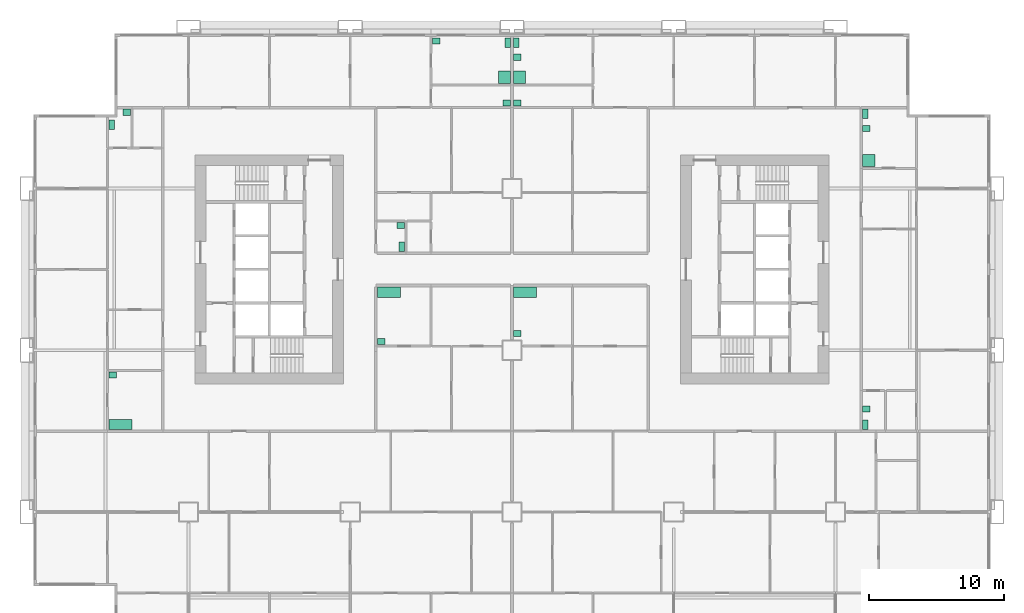
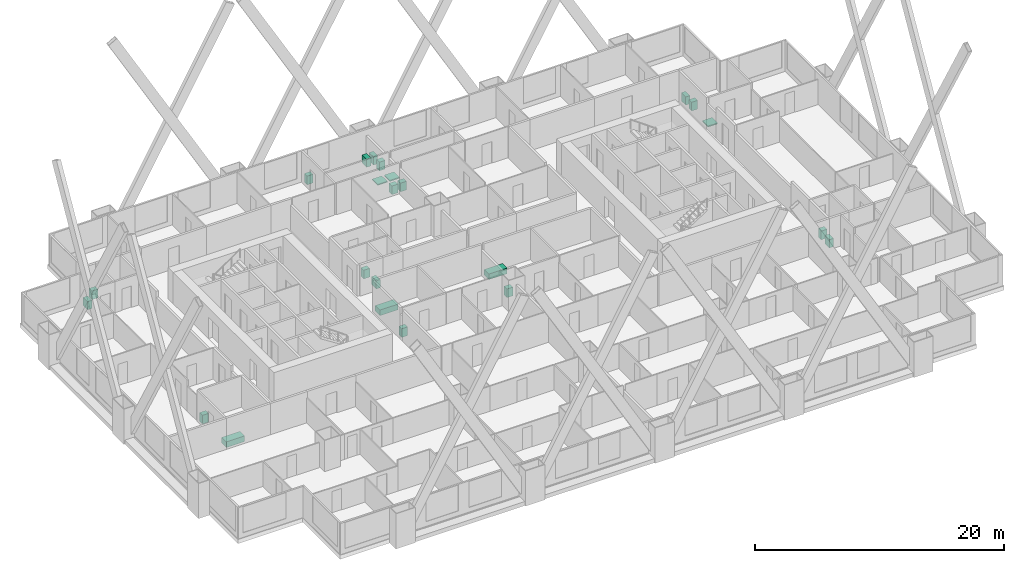
# One storey, part 13 of 13: 23 sanitary terminals.
"""IFC4 building model written with IfcOpenShell, lengths in metres."""

from ifc_helpers import new_model, si_unit, direction, frame, origin, origin_2d, place, context, subcontext, project, spatial, rectangle, extrude, material, type_object, element, save


model = new_model("IFC4")

# Units and contexts
model_context = context("Model", 3, precision=1e-05, world=origin(), true_north=direction((0.0, 1.0)))
body_context = subcontext(model_context, "Body", "Model", "MODEL_VIEW")
ifc_project = project(units=[si_unit("LENGTHUNIT", "METRE"), si_unit("AREAUNIT", "SQUARE_METRE"), si_unit("VOLUMEUNIT", "CUBIC_METRE"), si_unit("PLANEANGLEUNIT", "RADIAN"), si_unit("MASSUNIT", "GRAM", prefix="KILO")], contexts=[model_context])

# Site, building, storey
site_placement = place(None, origin())
site = spatial("IfcSite", under=ifc_project, at=site_placement, CompositionType="ELEMENT")
building_placement = place(site_placement, origin())
building = spatial("IfcBuilding", under=site, at=building_placement, Name="Kitamizu Gate Tower and Museum", CompositionType="ELEMENT")
storey_placement = place(building_placement, frame((0.0, 0.0, 30.0)))
storey = spatial("IfcBuildingStorey", under=building, at=storey_placement, Name="L05", CompositionType="ELEMENT", Elevation=30.0)

# Sanitary terminals
ifc_material_1 = material(Name="Acrylic")
sanitary_terminal_type_1 = type_object("IfcSanitaryTerminalType", Name="Bath", PredefinedType="BATH", material=ifc_material_1)
for number, where, z_axis, x_axis, name in (
    (1, (26.8701171875, 28.304931640625, 0.0009765625), (0.0, 0.0, 1.0), (1.0, 0.0, 0.0), "Bath Bathroom and WC 05A"),
    (2, (6.969970703125, 18.4951171875, 0.0009765625), (0.0, 0.0, 1.0), (1.0, 0.0, 0.0), "Bath Bathroom 05B"),
    (3, (36.969970703125, 28.304931640625, 0.0009765625), (0.0, 0.0, 1.0), (1.0, 0.0, 0.0), "Bath Bathroom and WC 05C"),
):
    element("IfcSanitaryTerminal", number, at=place(storey_placement, frame(where, z_axis=z_axis, x_axis=x_axis)), inside=storey, type_object=sanitary_terminal_type_1, Name=name, PredefinedType="BATH", context=body_context, shape_type="SweptSolid", body=[
        extrude(rectangle(XDim=1.699951171875, YDim=0.75, at=origin_2d()), origin(), (0.0, 0.0, 1.0), 0.550048828125),
    ])
ifc_material_2 = material(Name="Acrylic")
sanitary_terminal_type_2 = type_object("IfcSanitaryTerminalType", Name="Shower tray", PredefinedType="SHOWER", material=ifc_material_2)
for number, where, z_axis, x_axis, name in (
    (4, (62.469970703125, 38.070068359375, 0.0009765625), (0.0, 0.0, 1.0), (1.0, 0.0, 0.0), "Shower tray En-suite bathroom 05D"),
    (5, (35.429931640625, 44.25, 0.0009765625), (0.0, 0.0, 1.0), (1.0, 0.0, 0.0), "Shower tray En-suite bathroom 05E"),
    (6, (36.570068359375, 44.25, 0.0009765625), (0.0, 0.0, 1.0), (1.0, 0.0, 0.0), "Shower tray En-suite bathroom and WC 05F"),
):
    element("IfcSanitaryTerminal", number, at=place(storey_placement, frame(where, z_axis=z_axis, x_axis=x_axis)), inside=storey, type_object=sanitary_terminal_type_2, Name=name, PredefinedType="SHOWER", context=body_context, shape_type="SweptSolid", body=[
        extrude(rectangle(XDim=0.89990234375, YDim=0.89990234375, at=origin_2d()), origin(), (0.0, 0.0, 1.0), 0.10009765625),
    ])
ifc_material_3 = material(Name="Vitreous china")
sanitary_terminal_type_3 = type_object("IfcSanitaryTerminalType", Name="Wash hand basin", PredefinedType="WASHHANDBASIN", material=ifc_material_3)
for number, where, z_axis, x_axis, name in (
    (7, (26.294921875, 24.64501953125, 0.0009765625), (0.0, 0.0, 1.0), (1.0, 0.0, 0.0), "Wash hand basin Bathroom and WC 05A"),
    (8, (6.39501953125, 22.155029296875, 0.0009765625), (0.0, 0.0, 1.0), (1.0, 0.0, 0.0), "Wash hand basin Bathroom 05B"),
    (9, (7.405029296875, 41.655029296875, 0.0009765625), (0.0, 0.0, 1.0), (1.0, 0.0, 0.0), "Wash hand basin WC 05B"),
    (10, (36.39501953125, 25.2451171875, 0.0009765625), (0.0, 0.0, 1.0), (1.0, 0.0, 0.0), "Wash hand basin Bathroom and WC 05C"),
    (11, (62.294921875, 19.655029296875, 0.0009765625), (0.0, 0.0, 1.0), (1.0, 0.0, 0.0), "Wash hand basin WC 05D"),
    (12, (62.294921875, 40.455078125, 0.0009765625), (0.0, 0.0, 1.0), (1.0, 0.0, 0.0), "Wash hand basin En-suite bathroom 05D"),
    (13, (30.39501953125, 46.93505859375, 0.0009765625), (0.0, 0.0, 1.0), (1.0, 0.0, 0.0), "Wash hand basin En-suite bathroom 05E"),
    (14, (35.60498046875, 42.344970703125, 0.0009765625), (0.0, 0.0, 1.0), (1.0, 0.0, 0.0), "Wash hand basin Wash room 05E"),
    (15, (27.7548828125, 33.2548828125, 0.0009765625), (0.0, 0.0, 1.0), (1.0, 0.0, 0.0), "Wash hand basin WC 05E"),
    (16, (36.39501953125, 45.735107421875, 0.0009765625), (0.0, 0.0, 1.0), (1.0, 0.0, 0.0), "Wash hand basin En-suite bathroom and WC 05F"),
    (17, (36.39501953125, 42.344970703125, 0.0009765625), (0.0, 0.0, 1.0), (1.0, 0.0, 0.0), "Wash hand basin Wash room 05F"),
):
    element("IfcSanitaryTerminal", number, at=place(storey_placement, frame(where, z_axis=z_axis, x_axis=x_axis)), inside=storey, type_object=sanitary_terminal_type_3, Name=name, PredefinedType="WASHHANDBASIN", context=body_context, shape_type="SweptSolid", body=[
        extrude(rectangle(XDim=0.550048828125, YDim=0.449951171875, at=origin_2d()), origin(), (0.0, 0.0, 1.0), 0.85009765625),
    ])
ifc_material_4 = material(Name="Vitreous china")
sanitary_terminal_type_4 = type_object("IfcSanitaryTerminalType", Name="Water closet", PredefinedType="TOILETPAN", material=ifc_material_4)
for number, where, z_axis, x_axis, name in (
    (18, (6.320068359375, 40.72998046875, 0.0009765625), (0.0, 0.0, 1.0), (1.0, 0.0, 0.0), "Water closet WC 05B"),
    (19, (62.219970703125, 18.469970703125, 0.0009765625), (0.0, 0.0, 1.0), (1.0, 0.0, 0.0), "Water closet WC 05D"),
    (20, (62.219970703125, 41.530029296875, 0.0009765625), (0.0, 0.0, 1.0), (1.0, 0.0, 0.0), "Water closet En-suite bathroom 05D"),
    (21, (35.679931640625, 46.81005859375, 0.0009765625), (0.0, 0.0, 1.0), (1.0, 0.0, 0.0), "Water closet En-suite bathroom 05E"),
    (22, (27.830078125, 31.669921875, 0.0009765625), (0.0, 0.0, 1.0), (1.0, 0.0, 0.0), "Water closet WC 05E"),
    (23, (36.320068359375, 46.81005859375, 0.0009765625), (0.0, 0.0, 1.0), (1.0, 0.0, 0.0), "Water closet En-suite bathroom and WC 05F"),
):
    element("IfcSanitaryTerminal", number, at=place(storey_placement, frame(where, z_axis=z_axis, x_axis=x_axis)), inside=storey, type_object=sanitary_terminal_type_4, Name=name, PredefinedType="TOILETPAN", context=body_context, shape_type="SweptSolid", body=[
        extrude(rectangle(XDim=0.39990234375, YDim=0.699951171875, at=origin_2d()), origin(), (0.0, 0.0, 1.0), 0.800048828125),
    ])

save(model, "model.ifc")
